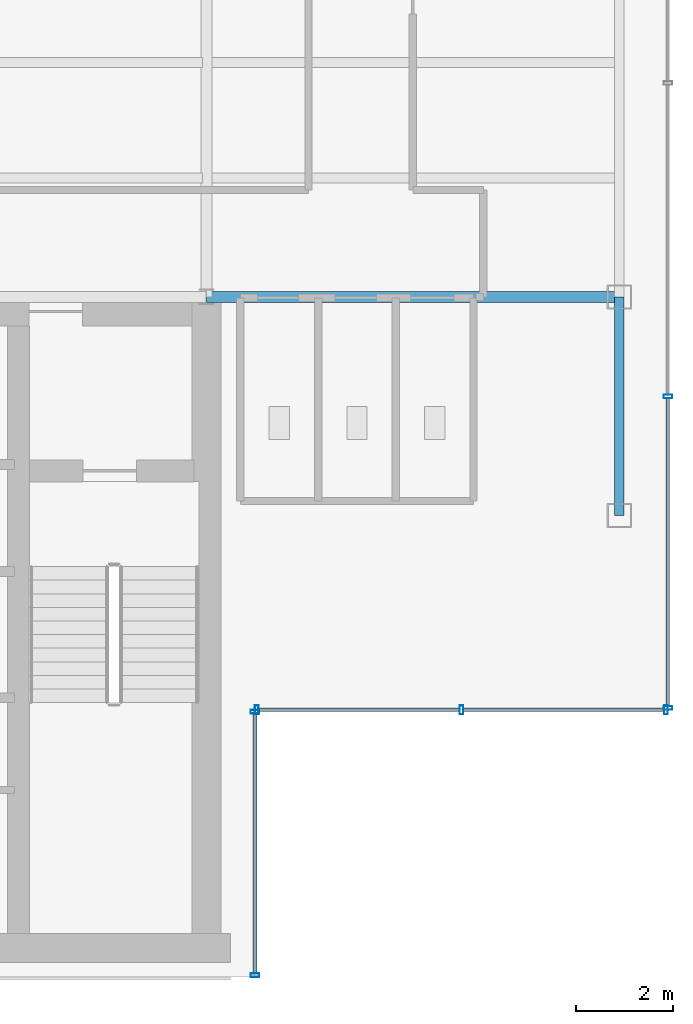
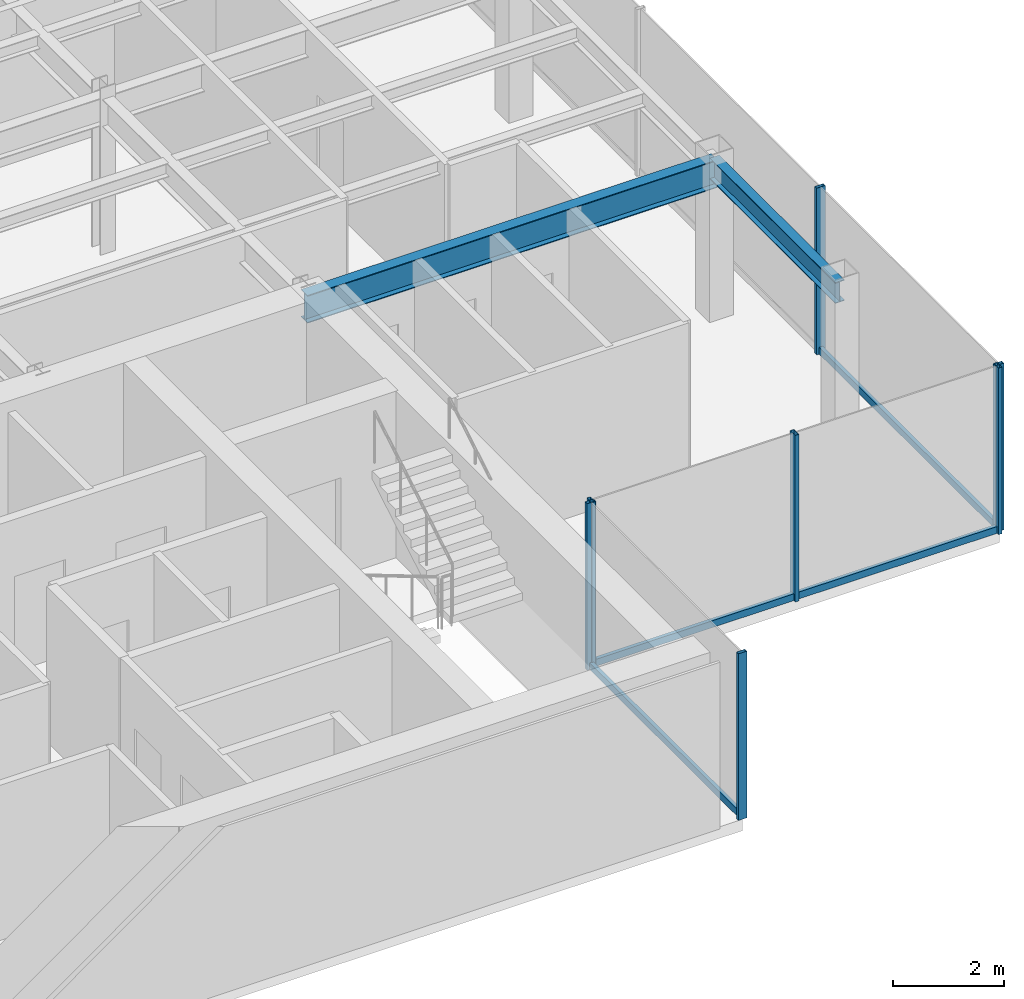
# One storey, part 9 of 22: 11 members, 2 beams, 3 elements without a shape of their own.
"""IFC4 building model written with IfcOpenShell, lengths in metres."""

from ifc_helpers import new_model, si_unit, derived_unit, direction, frame, origin, origin_2d, place, context, subcontext, project, spatial, hollow_rectangle, i_section, extrude, source, transform, mapped, material, material_profile, profile_set, type_object, element, aggregate, save


model = new_model("IFC4")

# Units and contexts
model_context = context("Model", 3, precision=1e-05, world=origin(), true_north=direction((0.0, 1.0)))
body_context = subcontext(model_context, "Body", "Model", "MODEL_VIEW")
ifc_project = project(units=[si_unit("LENGTHUNIT", "METRE"), si_unit("AREAUNIT", "SQUARE_METRE"), si_unit("VOLUMEUNIT", "CUBIC_METRE"), si_unit("PLANEANGLEUNIT", "RADIAN"), si_unit("MASSUNIT", "GRAM", prefix="KILO"), derived_unit("THERMALTRANSMITTANCEUNIT", [(si_unit("POWERUNIT", "WATT"), 1), (si_unit("LENGTHUNIT", "METRE"), -2), (si_unit("THERMODYNAMICTEMPERATUREUNIT", "KELVIN"), -1)])], contexts=[model_context])

# Site, building, storey
site_placement = place(None, origin())
site = spatial("IfcSite", under=ifc_project, at=site_placement, CompositionType="ELEMENT")
building_placement = place(site_placement, origin())
building = spatial("IfcBuilding", under=site, at=building_placement, Name="Skarnbrae Concourse Arena and Tower", CompositionType="ELEMENT")
storey_placement = place(building_placement, frame((0.0, 0.0, 280.699951171875)))
storey = spatial("IfcBuildingStorey", under=building, at=storey_placement, Name="L73", CompositionType="ELEMENT", Elevation=280.699951171875)

# Beams
ifc_material_1 = material(Name="Steel CSA G40.21 350W", Category="steel")
ifc_material_profile_1 = material_profile(ifc_material_1, i_section(OverallWidth=0.22802734375, OverallDepth=0.60791015625, WebThickness=0.01123046875, FlangeThickness=0.017333984375, at=origin_2d()), Name="W610X113")
ifc_profile_set_1 = profile_set([ifc_material_profile_1], Name="Steel CSA G40.21 350W")
beam_type_1 = type_object("IfcBeamType", Name="BM-GIRD-W610X113", PredefinedType="BEAM", material=ifc_profile_set_1)
shared_shape_1 = source(origin(), body_context, "Body", "SweptSolid", [
    extrude(i_section(OverallWidth=0.22802734375, OverallDepth=0.60791015625, WebThickness=0.01123046875, FlangeThickness=0.017333984375, at=origin_2d()), origin(), (0.0, 0.0, 1.0), 8.5),
])
beam_1_placement = place(storey_placement, frame((33.5, 14.0, 3.095947265625), z_axis=(1.0, 0.0, 0.0), x_axis=(0.0, 1.0, 0.0)))
element("IfcBeam", 1, at=beam_1_placement, inside=storey, type_object=beam_type_1, Name="L73 Primary E-W girder Y14.0-6", PredefinedType="BEAM", context=body_context, shape_type="MappedRepresentation", body=[
    mapped(shared_shape_1, transform((0.0, 0.0, 0.0))),
])
ifc_material_profile_2 = material_profile(ifc_material_1, i_section(OverallWidth=0.19091796875, OverallDepth=0.4599609375, WebThickness=0.010009765625, FlangeThickness=0.01611328125, at=origin_2d()), Name="W460X82")
ifc_profile_set_2 = profile_set([ifc_material_profile_2], Name="Steel CSA G40.21 350W")
beam_type_2 = type_object("IfcBeamType", Name="BM-SPAN-W460X82", PredefinedType="SPANDREL", material=ifc_profile_set_2)
shared_shape_2 = source(origin(), body_context, "Body", "SweptSolid", [
    extrude(i_section(OverallWidth=0.19091796875, OverallDepth=0.4599609375, WebThickness=0.010009765625, FlangeThickness=0.01611328125, at=origin_2d()), origin(), (0.0, 0.0, 1.0), 4.5),
])
beam_2_placement = place(storey_placement, frame((42.0, 9.5, 3.170166015625), z_axis=(0.0, 1.0, 0.0), x_axis=(-1.0, 0.0, 0.0)))
element("IfcBeam", 2, at=beam_2_placement, inside=storey, type_object=beam_type_2, Name="L73 Perimeter spandrel X42.0-1", PredefinedType="SPANDREL", context=body_context, shape_type="MappedRepresentation", body=[
    mapped(shared_shape_2, transform((0.0, 0.0, 0.0))),
])

# Curtain wall, member
ifc_material_2 = material(Name="Bronze anodised aluminium 6063-T6", Category="aluminium")
curtain_wall_type = type_object("IfcCurtainWallType", Name="CW-SYS-05-HIGHZONE", PredefinedType="USERDEFINED", material=ifc_material_2)
curtain_wall_1_placement = place(storey_placement, origin())
curtain_wall_1 = element("IfcCurtainWall", 3, at=curtain_wall_1_placement, inside=storey, type_object=curtain_wall_type, Name="L73 Unitised curtain wall CW-L73-E02", ObjectType="UNITISED CURTAIN WALL", PredefinedType="USERDEFINED")
ifc_material_profile_3 = material_profile(ifc_material_2, hollow_rectangle(XDim=0.074951171875, YDim=0.14990234375, WallThickness=0.00390625, at=origin_2d()), Name="ALU-TRAN-75X150")
ifc_profile_set_3 = profile_set([ifc_material_profile_3], Name="Bronze anodised aluminium 6063-T6")
member_type_1 = type_object("IfcMemberType", Name="CWT-CW-05", PredefinedType="USERDEFINED", material=ifc_profile_set_3)
shared_shape_3 = source(origin(), body_context, "Body", "SweptSolid", [
    extrude(hollow_rectangle(XDim=0.074951171875, YDim=0.14990234375, WallThickness=0.00390625, at=origin_2d()), origin(), (0.0, 0.0, 1.0), 5.35009765625),
])
member_1_placement = place(storey_placement, frame((34.5, 0.074951171875, 0.074951171875), z_axis=(0.0, 1.0, 0.0), x_axis=(-1.0, 0.0, 0.0)))
member_1 = element("IfcMember", 4, at=member_1_placement, type_object=member_type_1, Name="CW-L73-E02 Transom 1", ObjectType="TRANSOM", PredefinedType="USERDEFINED", context=body_context, shape_type="MappedRepresentation", body=[
    mapped(shared_shape_3, transform((0.0, 0.0, 0.0))),
])

# Curtain wall, members
curtain_wall_2_placement = place(storey_placement, origin())
curtain_wall_2 = element("IfcCurtainWall", 5, at=curtain_wall_2_placement, inside=storey, type_object=curtain_wall_type, Name="L73 Unitised curtain wall CW-L73-E03", ObjectType="UNITISED CURTAIN WALL", PredefinedType="USERDEFINED")
shared_shape_4 = source(origin(), body_context, "Body", "SweptSolid", [
    extrude(hollow_rectangle(XDim=0.074951171875, YDim=0.14990234375, WallThickness=0.00390625, at=origin_2d()), origin(), (0.0, 0.0, 1.0), 4.137451171875),
])
member_2_placement = place(storey_placement, frame((34.574951171875, 5.5, 0.074951171875), z_axis=(1.0, 0.0, 0.0), x_axis=(0.0, 1.0, 0.0)))
member_2 = element("IfcMember", 6, at=member_2_placement, type_object=member_type_1, Name="CW-L73-E03 Transom 1", ObjectType="TRANSOM", PredefinedType="USERDEFINED", context=body_context, shape_type="MappedRepresentation", body=[
    mapped(shared_shape_4, transform((0.0, 0.0, 0.0))),
])
member_3_placement = place(storey_placement, frame((38.78759765625, 5.5, 0.074951171875), z_axis=(1.0, 0.0, 0.0), x_axis=(0.0, 1.0, 0.0)))
member_3 = element("IfcMember", 7, at=member_3_placement, type_object=member_type_1, Name="CW-L73-E03 Transom 2", ObjectType="TRANSOM", PredefinedType="USERDEFINED", context=body_context, shape_type="MappedRepresentation", body=[
    mapped(shared_shape_4, transform((0.0, 0.0, 0.0))),
])

# Curtain wall, member
curtain_wall_3_placement = place(storey_placement, origin())
curtain_wall_3 = element("IfcCurtainWall", 8, at=curtain_wall_3_placement, inside=storey, type_object=curtain_wall_type, Name="L73 Unitised curtain wall CW-L73-E04", ObjectType="UNITISED CURTAIN WALL", PredefinedType="USERDEFINED")
shared_shape_5 = source(origin(), body_context, "Body", "SweptSolid", [
    extrude(hollow_rectangle(XDim=0.074951171875, YDim=0.14990234375, WallThickness=0.00390625, at=origin_2d()), origin(), (0.0, 0.0, 1.0), 6.337646484375),
])
member_4_placement = place(storey_placement, frame((43.0, 5.574951171875, 0.074951171875), z_axis=(0.0, 1.0, 0.0), x_axis=(-1.0, 0.0, 0.0)))
member_4 = element("IfcMember", 9, at=member_4_placement, type_object=member_type_1, Name="CW-L73-E04 Transom 1", ObjectType="TRANSOM", PredefinedType="USERDEFINED", context=body_context, shape_type="MappedRepresentation", body=[
    mapped(shared_shape_5, transform((0.0, 0.0, 0.0))),
])

# Member
ifc_material_profile_4 = material_profile(ifc_material_2, hollow_rectangle(XDim=0.074951171875, YDim=0.179931640625, WallThickness=0.00390625, at=origin_2d()), Name="ALU-MULL-75X180")
ifc_profile_set_4 = profile_set([ifc_material_profile_4], Name="Bronze anodised aluminium 6063-T6")
member_type_2 = type_object("IfcMemberType", Name="CWM-CW-05", PredefinedType="MULLION", material=ifc_profile_set_4)
shared_shape_6 = source(origin(), body_context, "Body", "SweptSolid", [
    extrude(hollow_rectangle(XDim=0.074951171875, YDim=0.179931640625, WallThickness=0.00390625, at=origin_2d()), origin(), (0.0, 0.0, 1.0), 3.650146484375),
])
member_5_placement = place(storey_placement, frame((34.5, 0.03759765625, 0.0), z_axis=(0.0, 0.0, 1.0), x_axis=(0.0, 1.0, 0.0)))
member_5 = element("IfcMember", 10, at=member_5_placement, type_object=member_type_2, Name="CW-L73-E02 Mullion 1", PredefinedType="MULLION", context=body_context, shape_type="MappedRepresentation", body=[
    mapped(shared_shape_6, transform((0.0, 0.0, 0.0))),
])

member_6_placement = place(storey_placement, frame((34.5, 5.46240234375, 0.0), z_axis=(0.0, 0.0, 1.0), x_axis=(0.0, 1.0, 0.0)))
member_6 = element("IfcMember", 11, at=member_6_placement, type_object=member_type_2, Name="CW-L73-E02 Mullion 2", PredefinedType="MULLION", context=body_context, shape_type="MappedRepresentation", body=[
    mapped(shared_shape_6, transform((0.0, 0.0, 0.0))),
])

aggregate(curtain_wall_1, [member_5, member_6, member_1])

member_7_placement = place(storey_placement, frame((34.53759765625, 5.5, 0.0), z_axis=(0.0, 0.0, 1.0), x_axis=(1.0, 0.0, 0.0)))
member_7 = element("IfcMember", 12, at=member_7_placement, type_object=member_type_2, Name="CW-L73-E03 Mullion 1", PredefinedType="MULLION", context=body_context, shape_type="MappedRepresentation", body=[
    mapped(shared_shape_6, transform((0.0, 0.0, 0.0))),
])

member_8_placement = place(storey_placement, frame((38.75, 5.5, 0.0), z_axis=(0.0, 0.0, 1.0), x_axis=(1.0, 0.0, 0.0)))
member_8 = element("IfcMember", 13, at=member_8_placement, type_object=member_type_2, Name="CW-L73-E03 Mullion 2", PredefinedType="MULLION", context=body_context, shape_type="MappedRepresentation", body=[
    mapped(shared_shape_6, transform((0.0, 0.0, 0.0))),
])

member_9_placement = place(storey_placement, frame((42.96240234375, 5.5, 0.0), z_axis=(0.0, 0.0, 1.0), x_axis=(1.0, 0.0, 0.0)))
member_9 = element("IfcMember", 14, at=member_9_placement, type_object=member_type_2, Name="CW-L73-E03 Mullion 3", PredefinedType="MULLION", context=body_context, shape_type="MappedRepresentation", body=[
    mapped(shared_shape_6, transform((0.0, 0.0, 0.0))),
])

aggregate(curtain_wall_2, [member_7, member_8, member_9, member_2, member_3])

member_10_placement = place(storey_placement, frame((43.0, 5.53759765625, 0.0), z_axis=(0.0, 0.0, 1.0), x_axis=(0.0, 1.0, 0.0)))
member_10 = element("IfcMember", 15, at=member_10_placement, type_object=member_type_2, Name="CW-L73-E04 Mullion 1", PredefinedType="MULLION", context=body_context, shape_type="MappedRepresentation", body=[
    mapped(shared_shape_6, transform((0.0, 0.0, 0.0))),
])

member_11_placement = place(storey_placement, frame((43.0, 11.949951171875, 0.0), z_axis=(0.0, 0.0, 1.0), x_axis=(0.0, 1.0, 0.0)))
member_11 = element("IfcMember", 16, at=member_11_placement, type_object=member_type_2, Name="CW-L73-E04 Mullion 2", PredefinedType="MULLION", context=body_context, shape_type="MappedRepresentation", body=[
    mapped(shared_shape_6, transform((0.0, 0.0, 0.0))),
])

aggregate(curtain_wall_3, [member_10, member_11, member_4])

save(model, "model.ifc")
